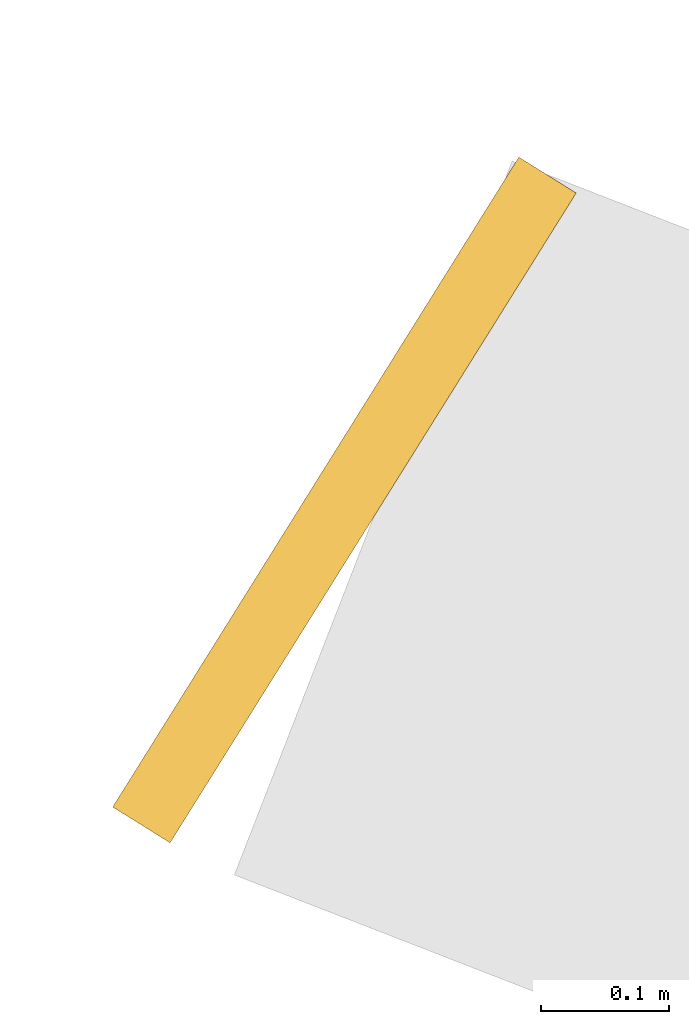
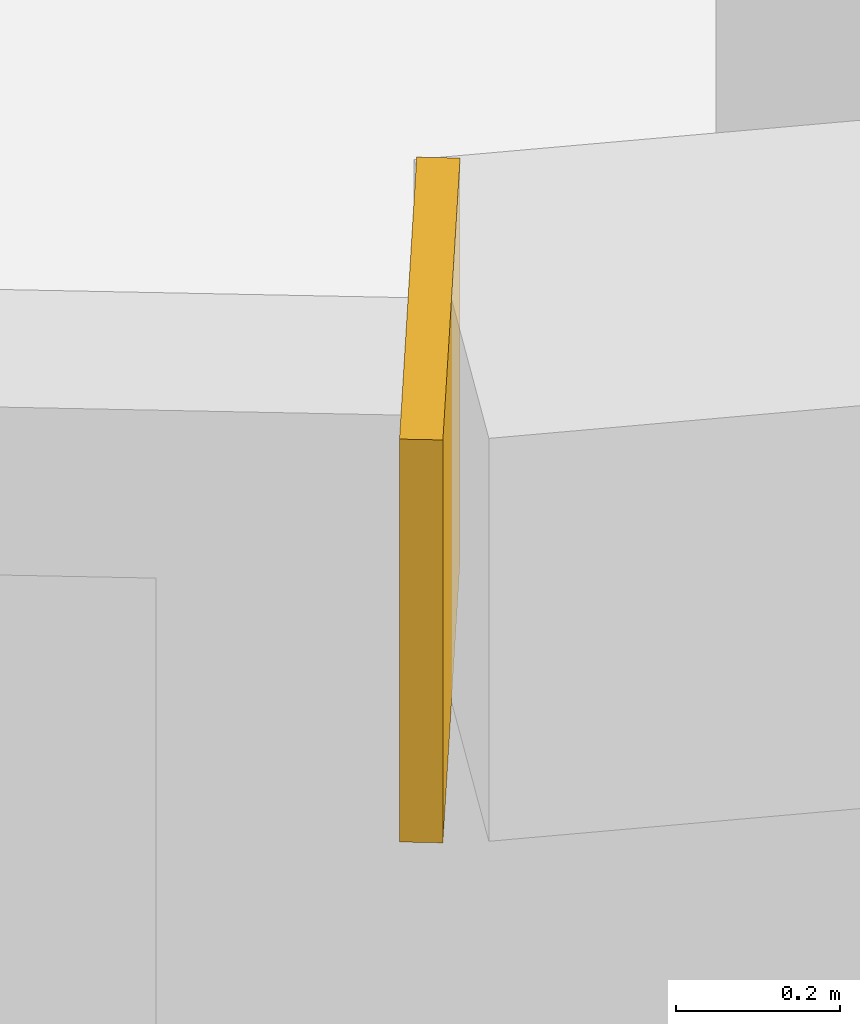
# One storey, part 17 of 17: 1 covering.
"""IFC4 building model written with IfcOpenShell, lengths in metres."""

from ifc_helpers import new_model, si_unit, direction, frame, origin, origin_2d, place, context, subcontext, project, spatial, rectangle, extrude, material, material_profile, profile_set, type_object, element, save


model = new_model("IFC4")

# Units and contexts
model_context = context("Model", 3, precision=1e-05, world=origin(), true_north=direction((0.0, 1.0)))
body_context = subcontext(model_context, "Body", "Model", "MODEL_VIEW")
ifc_project = project(units=[si_unit("LENGTHUNIT", "METRE"), si_unit("AREAUNIT", "SQUARE_METRE"), si_unit("VOLUMEUNIT", "CUBIC_METRE"), si_unit("PLANEANGLEUNIT", "RADIAN"), si_unit("MASSUNIT", "GRAM", prefix="KILO")], contexts=[model_context])

# Site, building, storey
site_placement = place(None, origin())
site = spatial("IfcSite", under=ifc_project, at=site_placement, CompositionType="ELEMENT")
building_placement = place(site_placement, origin())
building = spatial("IfcBuilding", under=site, at=building_placement, Name="Tuul Gate Civic Tower", CompositionType="ELEMENT")
storey_placement = place(building_placement, frame((0.0, 0.0, 222.10009765625)))
storey = spatial("IfcBuildingStorey", under=building, at=storey_placement, Name="Level 50", CompositionType="ELEMENT", Elevation=222.10009765625)

# Covering
ifc_material = material(Name="Terracotta baguette", Category="masonry")
ifc_material_profile = material_profile(ifc_material, rectangle(XDim=0.60009765625, YDim=0.60009765625, at=origin_2d()), Name="Terracotta baguette screen frame")
ifc_profile_set = profile_set([ifc_material_profile], Name="Terracotta baguette")
covering_type = type_object("IfcCoveringType", Name="Terracotta baguette screen frame", PredefinedType="CLADDING", material=ifc_profile_set)
covering_placement = place(storey_placement, frame((-39.989501953125, -27.34033203125, 3.849853515625), z_axis=(0.847998304005, -0.529998940003, 0.0), x_axis=(0.529998940003, 0.847998304005, 0.0)))
element("IfcCovering", 1, at=covering_placement, inside=storey, type_object=covering_type, Name="Baguette 164", PredefinedType="CLADDING", context=body_context, shape_type="SweptSolid", body=[
    extrude(rectangle(XDim=0.60009765625, YDim=0.60009765625, at=origin_2d()), origin(), (0.0, 0.0, 1.0), 0.052978515625),
])

save(model, "model.ifc")
